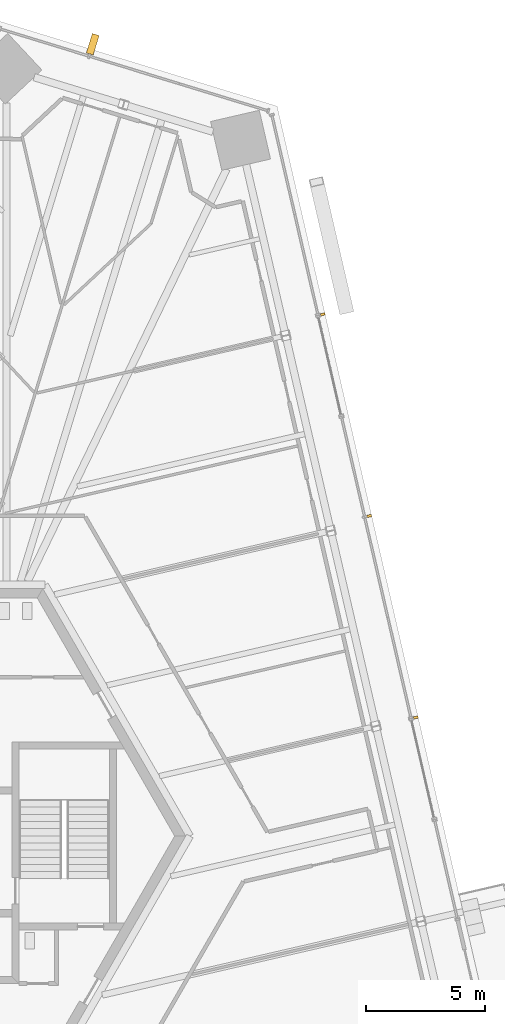
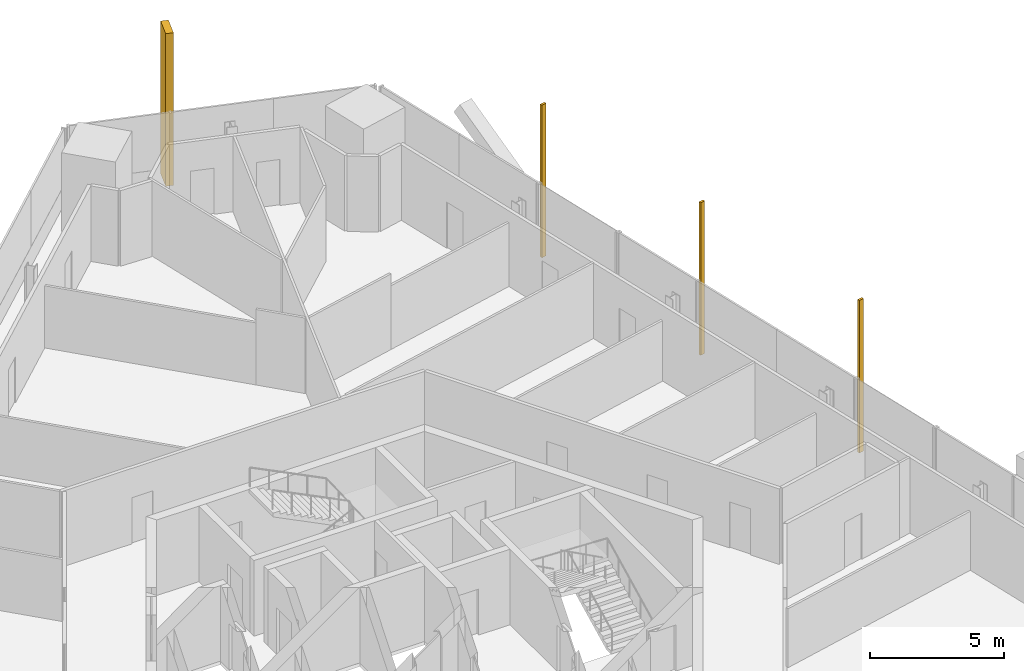
# One storey, part 21 of 24: 4 shading devices.
"""IFC4 building model written with IfcOpenShell, lengths in metres."""

import ifcopenshell
import ifcopenshell.guid

model = None  # the IFC model being written
_history = None  # IfcOwnerHistory: only IFC2X3 demands one
_inside = {}  # id of a spatial element -> (the spatial element, [elements in it])
_under = {}  # id of a project, library or spatial element -> (it, [spatial elements below it])
_declared = {}  # id of a project -> (the project, [libraries it declares])
_typed = {}  # id of a type object -> (the type object, [elements of that type])
_made_of = {}  # id of a material, layer set ... -> (it, [elements and type objects made of it])


def new_model(schema):
    """Start an empty IFC model of exactly this schema.

    Asked for "IFC4X3", IfcOpenShell would pick the latest addendum, in which some entities
    have other attributes; the version numbers below select the first issue.
    IFC2X3 requires an IfcOwnerHistory on every rooted entity: one is made here for all.
    """
    global model, _history
    if schema == "IFC4X3":
        model = ifcopenshell.file(schema_version=(4, 3, 0, 0))
    else:
        model = ifcopenshell.file(schema=schema)
    _inside.clear()
    _under.clear()
    _declared.clear()
    _typed.clear()
    _made_of.clear()
    _history = None
    if model.schema == "IFC2X3":
        org = make("IfcOrganization", Name="unknown")
        user = make(
            "IfcPersonAndOrganization",
            ThePerson=make("IfcPerson", FamilyName="unknown"),
            TheOrganization=org,
        )
        app = make(
            "IfcApplication",
            ApplicationDeveloper=org,
            Version="unknown",
            ApplicationFullName="unknown",
            ApplicationIdentifier="unknown",
        )
        _history = make(
            "IfcOwnerHistory",
            OwningUser=user,
            OwningApplication=app,
            ChangeAction="ADDED",
            CreationDate=0,
        )
    return model


def make(cls, **values):
    """One entity of the class cls with the attributes given. An attribute that is None is left unset."""
    return model.create_entity(
        cls, **{name: value for name, value in values.items() if value is not None}
    )


def rooted(cls, **values):
    """An entity with a GlobalId (a new one), such as an element, a storey or a relation."""
    return make(cls, GlobalId=ifcopenshell.guid.new(), OwnerHistory=_history, **values)


def si_unit(unit_type, name, prefix=None):
    """IfcSIUnit, for example si_unit("LENGTHUNIT", "METRE", prefix="MILLI")."""
    return make("IfcSIUnit", UnitType=unit_type, Prefix=prefix, Name=name)


def assignment(units):
    """IfcUnitAssignment: the units of a project."""
    return None if units is None else make("IfcUnitAssignment", Units=units)


def point(xyz):
    """IfcCartesianPoint."""
    return None if xyz is None else make("IfcCartesianPoint", Coordinates=xyz)


def direction(xyz):
    """IfcDirection."""
    return None if xyz is None else make("IfcDirection", DirectionRatios=xyz)


def frame(location, z_axis=None, x_axis=None):
    """IfcAxis2Placement3D, a coordinate frame: its origin and axes. An axis left out is left unset."""
    return make(
        "IfcAxis2Placement3D",
        Location=point(location),
        Axis=direction(z_axis),
        RefDirection=direction(x_axis),
    )


def frame_2d(location, x_axis=None):
    """IfcAxis2Placement2D, a coordinate frame in the plane: its origin and x axis."""
    return make(
        "IfcAxis2Placement2D", Location=point(location), RefDirection=direction(x_axis)
    )


def origin():
    """The frame at (0, 0, 0) with its axes left unset."""
    return frame((0.0, 0.0, 0.0))


def origin_2d():
    """The frame at (0, 0) in the plane with its x axis left unset."""
    return frame_2d((0.0, 0.0))


def place(relative_to, where):
    """IfcLocalPlacement: puts the frame where relative to a parent placement (None: the world)."""
    return make(
        "IfcLocalPlacement", PlacementRelTo=relative_to, RelativePlacement=where
    )


def context(
    kind, dimensions, precision=None, world=None, true_north=None, identifier=None
):
    """IfcGeometricRepresentationContext, for example the 3D "Model" context."""
    return make(
        "IfcGeometricRepresentationContext",
        ContextIdentifier=identifier,
        ContextType=kind,
        CoordinateSpaceDimension=dimensions,
        Precision=precision,
        WorldCoordinateSystem=world,
        TrueNorth=true_north,
    )


def subcontext(parent, identifier, kind, view, scale=None):
    """IfcGeometricRepresentationSubContext, for example "Body" below "Model"."""
    return make(
        "IfcGeometricRepresentationSubContext",
        ContextIdentifier=identifier,
        ContextType=kind,
        ParentContext=parent,
        TargetScale=scale,
        TargetView=view,
    )


def project(units=None, contexts=None):
    """IfcProject with its units and contexts."""
    return rooted(
        "IfcProject",
        Name="project",
        RepresentationContexts=contexts,
        UnitsInContext=assignment(units),
    )


def spatial(cls, under=None, at=None, **own):
    """A site, building, storey or space (cls), placed at a placement, below another one or the project."""
    s = rooted(cls, ObjectPlacement=at, **own)
    if under is not None:
        _under.setdefault(under.id(), (under, []))[1].append(s)
    return s


def profile(cls, at=None, kind="AREA", **sizes):
    """A parametric profile (cls). Its sizes go by their IFC names, for example OverallWidth=200.0."""
    return make(cls, ProfileType=kind, Position=at, **sizes)


def rectangle(**sizes):
    """IfcRectangleProfileDef."""
    return profile("IfcRectangleProfileDef", **sizes)


def extrude(swept, where, along, depth):
    """IfcExtrudedAreaSolid: the profile swept, set in the frame where, extruded along a direction by depth."""
    return make(
        "IfcExtrudedAreaSolid",
        SweptArea=swept,
        Position=where,
        ExtrudedDirection=direction(along),
        Depth=depth,
    )


def shape(context_of_items, identifier, shape_type, items):
    """IfcShapeRepresentation: the items that make up one representation, for example the "Body"."""
    return make(
        "IfcShapeRepresentation",
        ContextOfItems=context_of_items,
        RepresentationIdentifier=identifier,
        RepresentationType=shape_type,
        Items=items,
    )


def source(mapping_origin, context_of_items, identifier, shape_type, items):
    """IfcRepresentationMap: a shape defined once, which mapped items show again and again."""
    return make(
        "IfcRepresentationMap",
        MappingOrigin=mapping_origin,
        MappedRepresentation=shape(context_of_items, identifier, shape_type, items),
    )


def transform(
    local_origin,
    x_axis=None,
    y_axis=None,
    z_axis=None,
    scale=None,
    scale2=None,
    scale3=None,
    uniform=True,
):
    """IfcCartesianTransformationOperator3D, or its non-uniform kind. x_axis, y_axis, z_axis: its Axis1, 2, 3."""
    if uniform:
        return make(
            "IfcCartesianTransformationOperator3D",
            Axis1=direction(x_axis),
            Axis2=direction(y_axis),
            LocalOrigin=point(local_origin),
            Scale=scale,
            Axis3=direction(z_axis),
        )
    return make(
        "IfcCartesianTransformationOperator3DnonUniform",
        Axis1=direction(x_axis),
        Axis2=direction(y_axis),
        LocalOrigin=point(local_origin),
        Scale=scale,
        Axis3=direction(z_axis),
        Scale2=scale2,
        Scale3=scale3,
    )


def mapped(mapping_source, mapping_target):
    """IfcMappedItem: shows the shape of a source again, moved by a transform."""
    return make(
        "IfcMappedItem", MappingSource=mapping_source, MappingTarget=mapping_target
    )


def material(Name=None, Category=None):
    """IfcMaterial."""
    return make("IfcMaterial", Name=Name, Category=Category)


def made_of(thing, what):
    """Note that an element or type object is made of a material, layer set ...; save() writes the relation."""
    if what is not None:
        _made_of.setdefault(what.id(), (what, []))[1].append(thing)
    return thing


def element(
    cls,
    number,
    at=None,
    inside=None,
    cuts=None,
    type_object=None,
    material=None,
    context=None,
    identifier="Body",
    shape_type=None,
    held_by="IfcProductDefinitionShape",
    body=None,
    shapes=None,
    **own,
):
    """One element of the class cls, such as IfcWall. Its Tag is "e" and its number.

    at: its placement. inside: the storey or other place that contains it. cuts: it is an
    opening in that element (IfcRelVoidsElement). A single representation is given by context,
    identifier, shape_type and body (its items); several are given by shapes. held_by: the class
    of the entity that holds the representations. save() writes the other relations.
    """
    e = rooted(cls, Tag="e%d" % number, ObjectPlacement=at, **own)
    if body is not None:
        shapes = [shape(context, identifier, shape_type, body)]
    if shapes is not None:
        e.Representation = make(held_by, Representations=shapes)
    if inside is not None:
        _inside.setdefault(inside.id(), (inside, []))[1].append(e)
    if cuts is not None:
        rooted(
            "IfcRelVoidsElement", RelatingBuildingElement=cuts, RelatedOpeningElement=e
        )
    if type_object is not None:
        _typed.setdefault(type_object.id(), (type_object, []))[1].append(e)
    return made_of(e, material)


def aggregate(whole, parts):
    """IfcRelAggregates: a whole, such as a stair, and the parts it consists of."""
    return rooted("IfcRelAggregates", RelatingObject=whole, RelatedObjects=parts)


def save(model, path):
    """Write the relations noted so far, then the file.

    IfcRelAggregates (storeys below a building ...), IfcRelContainedInSpatialStructure (elements
    in a storey), IfcRelDefinesByType, IfcRelAssociatesMaterial and IfcRelDeclares: one each for
    every whole, place, type object, material and project.
    """
    for whole, parts in _under.values():
        aggregate(whole, parts)
    for where, things in _inside.values():
        rooted(
            "IfcRelContainedInSpatialStructure",
            RelatedElements=things,
            RelatingStructure=where,
        )
    for kind, things in _typed.values():
        rooted("IfcRelDefinesByType", RelatedObjects=things, RelatingType=kind)
    for what, things in _made_of.values():
        rooted("IfcRelAssociatesMaterial", RelatedObjects=things, RelatingMaterial=what)
    for by, libraries in _declared.values():
        rooted("IfcRelDeclares", RelatingContext=by, RelatedDefinitions=libraries)
    model.write(path)


model = new_model("IFC4")

# Units and contexts
model_context = context("Model", 3, precision=1e-05, world=origin(), true_north=direction((0.0, 1.0)))
body_context = subcontext(model_context, "Body", "Model", "MODEL_VIEW")
ifc_project = project(units=[si_unit("LENGTHUNIT", "METRE"), si_unit("AREAUNIT", "SQUARE_METRE"), si_unit("VOLUMEUNIT", "CUBIC_METRE"), si_unit("PLANEANGLEUNIT", "RADIAN"), si_unit("MASSUNIT", "GRAM", prefix="KILO")], contexts=[model_context])

# Site, building, storey
site_placement = place(None, origin())
site = spatial("IfcSite", under=ifc_project, at=site_placement, CompositionType="ELEMENT")
building_placement = place(site_placement, origin())
building = spatial("IfcBuilding", under=site, at=building_placement, Name="Triune Harvest Tower", CompositionType="ELEMENT")
storey_placement = place(building_placement, frame((0.0, 0.0, 127.10009765625)))
storey = spatial("IfcBuildingStorey", under=building, at=storey_placement, Name="L32", CompositionType="ELEMENT", Elevation=127.10009765625)

# Shading devices
ifc_material = material(Name="Aluminium bronze anodised", Category="aluminium")
shared_shape_1 = source(origin(), body_context, "Body", "SweptSolid", [
    extrude(rectangle(XDim=0.300048828125, YDim=0.85009765625, at=origin_2d()), origin(), (0.0, 0.0, 1.0), 6.949951171875),
])
shading_device_placement = place(storey_placement, frame((8.0986328125, 33.24267578125, 0.0), z_axis=(0.0, 0.0, 1.0), x_axis=(-0.956303148607, 0.292376962095, 0.0)))
element("IfcShadingDevice", 1, at=shading_device_placement, inside=storey, material=ifc_material, Name="FN-2 fin B3-F2.3 L32", ObjectType="FIN", PredefinedType="USERDEFINED", context=body_context, shape_type="MappedRepresentation", body=[
    mapped(shared_shape_1, transform((0.0, 0.0, 0.0), scale=1.0)),
])
shared_shape_2 = source(origin(), body_context, "Body", "SweptSolid", [
    extrude(rectangle(XDim=0.10009765625, YDim=0.199951171875, at=origin_2d()), origin(), (0.0, 0.0, 1.0), 6.949951171875),
])
for number, where, z_axis, x_axis, name in (
    (2, (21.65966796875, 4.977294921875, 0.0), (0.0, 0.0, 1.0), (-0.22495121687, 0.974370027263, 0.0), "FN-1 fin B3-F1.7 L32"),
    (3, (19.7060546875, 13.43896484375, 0.0), (0.0, 0.0, 1.0), (-0.22495121687, 0.974370027263, 0.0), "FN-1 fin B3-F1.9 L32"),
    (4, (17.752685546875, 21.900634765625, 0.0), (0.0, 0.0, 1.0), (-0.22495121687, 0.974370027263, 0.0), "FN-1 fin B3-F1.11 L32"),
):
    element("IfcShadingDevice", number, at=place(storey_placement, frame(where, z_axis=z_axis, x_axis=x_axis)), inside=storey, material=ifc_material, Name=name, ObjectType="FIN", PredefinedType="USERDEFINED", context=body_context, shape_type="MappedRepresentation", body=[
        mapped(shared_shape_2, transform((0.0, 0.0, 0.0), scale=1.0)),
    ])

save(model, "model.ifc")
